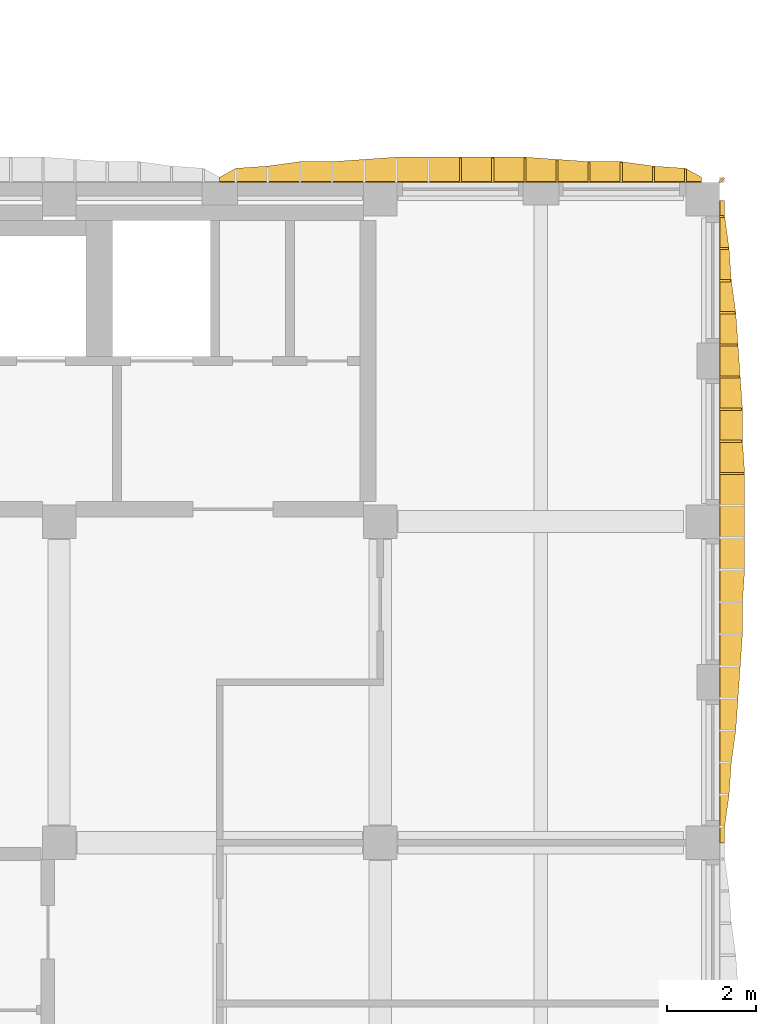
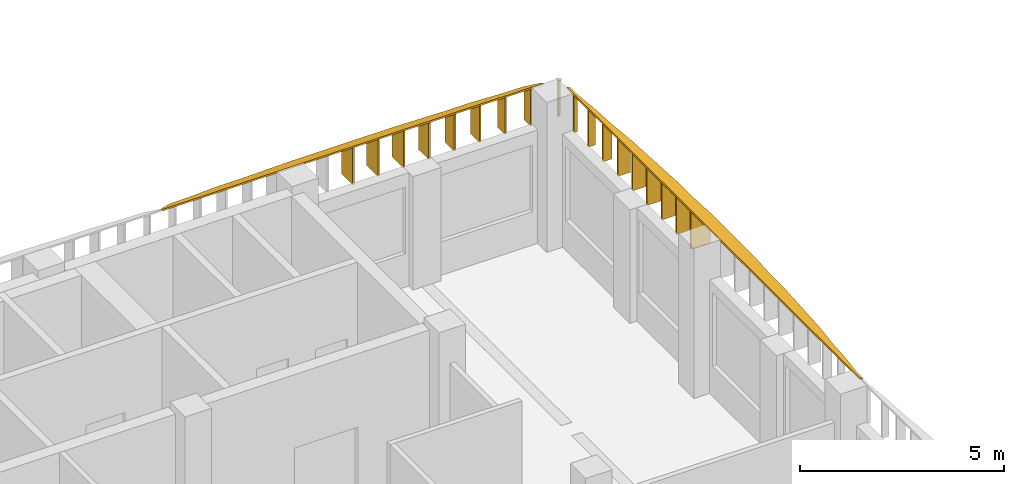
# One storey, part 40 of 58: 20 shading devices.
"""IFC4 building model written with IfcOpenShell, lengths in metres."""

from ifc_helpers import new_model, si_unit, direction, frame, origin, place, context, subcontext, project, spatial, polyline, outline, extrude, material, layer, layer_set, type_object, element, save


model = new_model("IFC4")

# Units and contexts
model_context = context("Model", 3, precision=1e-05, world=origin(), true_north=direction((0.0, 1.0)))
body_context = subcontext(model_context, "Body", "Model", "MODEL_VIEW")
ifc_project = project(units=[si_unit("LENGTHUNIT", "METRE"), si_unit("AREAUNIT", "SQUARE_METRE"), si_unit("VOLUMEUNIT", "CUBIC_METRE"), si_unit("PLANEANGLEUNIT", "RADIAN"), si_unit("MASSUNIT", "GRAM", prefix="KILO")], contexts=[model_context])

# Site, building, storey
site_placement = place(None, origin())
site = spatial("IfcSite", under=ifc_project, at=site_placement, CompositionType="ELEMENT")
building_placement = place(site_placement, origin())
building = spatial("IfcBuilding", under=site, at=building_placement, Name="Ussher Court Research Institute", CompositionType="ELEMENT")
storey_placement = place(building_placement, frame((0.0, 0.0, 9.89990234375)))
storey = spatial("IfcBuildingStorey", under=building, at=storey_placement, Name="L02", CompositionType="ELEMENT", Elevation=9.89990234375)

# Shading devices
ifc_material_1 = material(Name="Bronze anodised aluminium", Category="aluminium")
ifc_layer_1 = layer(ifc_material_1, 0.050048828125)
ifc_layer_set_1 = layer_set([ifc_layer_1], Name="Bronze anodised aluminium")
shading_device_type_1 = type_object("IfcShadingDeviceType", Name="Brim blade 100 mm deep 1100 mm high canted 26 deg wet", PredefinedType="USERDEFINED", material=ifc_layer_set_1)
shading_device_1_placement = place(storey_placement, frame((104.199951171875, 32.43994140625, 3.35009765625), z_axis=(0.0, 0.0, 1.0), x_axis=(1.0, 0.0, 0.0)))
element("IfcShadingDevice", 1, at=shading_device_1_placement, inside=storey, type_object=shading_device_type_1, Name="Brim blade BS10 L02", ObjectType="BLADE", PredefinedType="USERDEFINED", context=body_context, shape_type="SweptSolid", body=[
    extrude(outline(polyline([(0.0, 0.0), (0.10009765625, 0.0), (0.10009765625, 1.05126953125), (0.0, 1.10009765625), (0.0, 0.0)])), frame((0.0, 0.02490234375, 0.0), z_axis=(0.0, -1.0, 0.0), x_axis=(1.0, 0.0, 0.0)), (0.0, 0.0, 1.0), 0.050048828125),
])
ifc_material_2 = material(Name="Bronze anodised aluminium", Category="aluminium")
ifc_layer_2 = layer(ifc_material_2, 0.050048828125)
ifc_layer_set_2 = layer_set([ifc_layer_2], Name="Bronze anodised aluminium")
shading_device_type_2 = type_object("IfcShadingDeviceType", Name="Brim blade 200 mm deep 1100 mm high canted 26 deg wet", PredefinedType="USERDEFINED", material=ifc_layer_set_2)
shading_device_2_placement = place(storey_placement, frame((104.199951171875, 31.719970703125, 3.35009765625), z_axis=(0.0, 0.0, 1.0), x_axis=(1.0, 0.0, 0.0)))
element("IfcShadingDevice", 2, at=shading_device_2_placement, inside=storey, type_object=shading_device_type_2, Name="Brim blade BS08 L02", ObjectType="BLADE", PredefinedType="USERDEFINED", context=body_context, shape_type="SweptSolid", body=[
    extrude(outline(polyline([(0.0, 0.0), (0.199951171875, 0.0), (0.199951171875, 1.00244140625), (0.0, 1.10009765625), (0.0, 0.0)])), frame((0.0, 0.02490234375, 0.0), z_axis=(0.0, -1.0, 0.0), x_axis=(1.0, 0.0, 0.0)), (0.0, 0.0, 1.0), 0.050048828125),
])
ifc_material_3 = material(Name="Bronze anodised aluminium", Category="aluminium")
ifc_layer_3 = layer(ifc_material_3, 0.050048828125)
ifc_layer_set_3 = layer_set([ifc_layer_3], Name="Bronze anodised aluminium")
shading_device_type_3 = type_object("IfcShadingDeviceType", Name="Brim blade 250 mm deep 1100 mm high canted 26 deg wet", PredefinedType="USERDEFINED", material=ifc_layer_set_3)
shading_device_3_placement = place(storey_placement, frame((104.199951171875, 31.0, 3.35009765625), z_axis=(0.0, 0.0, 1.0), x_axis=(1.0, 0.0, 0.0)))
element("IfcShadingDevice", 3, at=shading_device_3_placement, inside=storey, type_object=shading_device_type_3, Name="Brim blade BS07 L02", ObjectType="BLADE", PredefinedType="USERDEFINED", context=body_context, shape_type="SweptSolid", body=[
    extrude(outline(polyline([(0.0, 0.0), (0.25, 0.0), (0.25, 0.97802734375), (0.0, 1.10009765625), (0.0, 0.0)])), frame((0.0, 0.02490234375, 0.0), z_axis=(0.0, -1.0, 0.0), x_axis=(1.0, 0.0, 0.0)), (0.0, 0.0, 1.0), 0.050048828125),
])
ifc_material_4 = material(Name="Bronze anodised aluminium", Category="aluminium")
ifc_layer_4 = layer(ifc_material_4, 0.050048828125)
ifc_layer_set_4 = layer_set([ifc_layer_4], Name="Bronze anodised aluminium")
shading_device_type_4 = type_object("IfcShadingDeviceType", Name="Brim blade 300 mm deep 1100 mm high canted 26 deg wet", PredefinedType="USERDEFINED", material=ifc_layer_set_4)
shading_device_4_placement = place(storey_placement, frame((103.43994140625, 33.199951171875, 3.35009765625), z_axis=(0.0, 0.0, 1.0), x_axis=(0.0, 1.0, 0.0)))
element("IfcShadingDevice", 4, at=shading_device_4_placement, inside=storey, type_object=shading_device_type_4, Name="Brim blade BS06 L02", ObjectType="BLADE", PredefinedType="USERDEFINED", context=body_context, shape_type="SweptSolid", body=[
    extrude(outline(polyline([(0.0, 0.0), (0.300048828125, 0.0), (0.300048828125, 0.95361328125), (0.0, 1.10009765625), (0.0, 0.0)])), frame((0.0, 0.02490234375, 0.0), z_axis=(0.0, -1.0, 0.0), x_axis=(1.0, 0.0, 0.0)), (0.0, 0.0, 1.0), 0.050048828125),
])
ifc_material_5 = material(Name="Bronze anodised aluminium", Category="aluminium")
ifc_layer_5 = layer(ifc_material_5, 0.050048828125)
ifc_layer_set_5 = layer_set([ifc_layer_5], Name="Bronze anodised aluminium")
shading_device_type_5 = type_object("IfcShadingDeviceType", Name="Brim blade 350 mm deep 1100 mm high canted 26 deg wet", PredefinedType="USERDEFINED", material=ifc_layer_set_5)
for number, where, z_axis, x_axis, name in (
    (5, (104.199951171875, 30.280029296875, 3.35009765625), (0.0, 0.0, 1.0), (1.0, 0.0, 0.0), "Brim blade BS05 L02"),
    (6, (102.719970703125, 33.199951171875, 3.35009765625), (0.0, 0.0, 1.0), (0.0, 1.0, 0.0), "Brim blade BS05 L02"),
):
    element("IfcShadingDevice", number, at=place(storey_placement, frame(where, z_axis=z_axis, x_axis=x_axis)), inside=storey, type_object=shading_device_type_5, Name=name, ObjectType="BLADE", PredefinedType="USERDEFINED", context=body_context, shape_type="SweptSolid", body=[
        extrude(outline(polyline([(0.0, 0.0), (0.35009765625, 0.0), (0.35009765625, 0.92919921875), (0.0, 1.10009765625), (0.0, 0.0)])), frame((0.0, 0.02490234375, 0.0), z_axis=(0.0, -1.0, 0.0), x_axis=(1.0, 0.0, 0.0)), (0.0, 0.0, 1.0), 0.050048828125),
    ])
ifc_material_6 = material(Name="Bronze anodised aluminium", Category="aluminium")
ifc_layer_6 = layer(ifc_material_6, 0.050048828125)
ifc_layer_set_6 = layer_set([ifc_layer_6], Name="Bronze anodised aluminium")
shading_device_type_6 = type_object("IfcShadingDeviceType", Name="Brim blade 400 mm deep 1100 mm high canted 26 deg wet", PredefinedType="USERDEFINED", material=ifc_layer_set_6)
shading_device_5_placement = place(storey_placement, frame((104.199951171875, 29.56005859375, 3.35009765625), z_axis=(0.0, 0.0, 1.0), x_axis=(1.0, 0.0, 0.0)))
element("IfcShadingDevice", 7, at=shading_device_5_placement, inside=storey, type_object=shading_device_type_6, Name="Brim blade BS04 L02", ObjectType="BLADE", PredefinedType="USERDEFINED", context=body_context, shape_type="SweptSolid", body=[
    extrude(outline(polyline([(0.0, 0.0), (0.400146484375, 0.0), (0.39990234375, 0.90478515625), (0.0, 1.10009765625), (0.0, 0.0)])), frame((0.0, 0.02490234375, 0.0), z_axis=(0.0, -1.0, 0.0), x_axis=(1.0, 0.0, 0.0)), (0.0, 0.0, 1.0), 0.050048828125),
])
ifc_material_7 = material(Name="Bronze anodised aluminium", Category="aluminium")
ifc_layer_7 = layer(ifc_material_7, 0.050048828125)
ifc_layer_set_7 = layer_set([ifc_layer_7], Name="Bronze anodised aluminium")
shading_device_type_7 = type_object("IfcShadingDeviceType", Name="Brim blade 450 mm deep 1100 mm high canted 26 deg wet", PredefinedType="USERDEFINED", material=ifc_layer_set_7)
for number, where, z_axis, x_axis, name in (
    (8, (104.199951171875, 28.840087890625, 3.35009765625), (0.0, 0.0, 1.0), (1.0, 0.0, 0.0), "Brim blade BS03 L02"),
    (9, (101.280029296875, 33.199951171875, 3.35009765625), (0.0, 0.0, 1.0), (0.0, 1.0, 0.0), "Brim blade BS03 L02"),
    (10, (102.0, 33.199951171875, 3.35009765625), (0.0, 0.0, 1.0), (0.0, 1.0, 0.0), "Brim blade BS03 L02"),
):
    element("IfcShadingDevice", number, at=place(storey_placement, frame(where, z_axis=z_axis, x_axis=x_axis)), inside=storey, type_object=shading_device_type_7, Name=name, ObjectType="BLADE", PredefinedType="USERDEFINED", context=body_context, shape_type="SweptSolid", body=[
        extrude(outline(polyline([(0.0, 0.0), (0.449951171875, 0.0), (0.449951171875, 0.880615234375), (0.0, 1.10009765625), (0.0, 0.0)])), frame((0.0, 0.02490234375, 0.0), z_axis=(0.0, -1.0, 0.0), x_axis=(1.0, 0.0, 0.0)), (0.0, 0.0, 1.0), 0.050048828125),
    ])
ifc_material_8 = material(Name="Bronze anodised aluminium", Category="aluminium")
ifc_layer_8 = layer(ifc_material_8, 0.050048828125)
ifc_layer_set_8 = layer_set([ifc_layer_8], Name="Bronze anodised aluminium")
shading_device_type_8 = type_object("IfcShadingDeviceType", Name="Brim blade 500 mm deep 1100 mm high canted 26 deg wet", PredefinedType="USERDEFINED", material=ifc_layer_set_8)
for number, where, z_axis, x_axis, name in (
    (11, (104.199951171875, 28.1201171875, 3.35009765625), (0.0, 0.0, 1.0), (1.0, 0.0, 0.0), "Brim blade BS02 L02"),
    (12, (104.199951171875, 27.39990234375, 3.35009765625), (0.0, 0.0, 1.0), (1.0, 0.0, 0.0), "Brim blade BS02 L02"),
    (13, (100.56005859375, 33.199951171875, 3.35009765625), (0.0, 0.0, 1.0), (0.0, 1.0, 0.0), "Brim blade BS02 L02"),
):
    element("IfcShadingDevice", number, at=place(storey_placement, frame(where, z_axis=z_axis, x_axis=x_axis)), inside=storey, type_object=shading_device_type_8, Name=name, ObjectType="BLADE", PredefinedType="USERDEFINED", context=body_context, shape_type="SweptSolid", body=[
        extrude(outline(polyline([(0.0, 0.0), (0.5, 0.0), (0.5, 0.856201171875), (0.0, 1.10009765625), (0.0, 0.0)])), frame((0.0, 0.02490234375, 0.0), z_axis=(0.0, -1.0, 0.0), x_axis=(1.0, 0.0, 0.0)), (0.0, 0.0, 1.0), 0.050048828125),
    ])
ifc_material_9 = material(Name="Bronze anodised aluminium", Category="aluminium")
ifc_layer_9 = layer(ifc_material_9, 0.050048828125)
ifc_layer_set_9 = layer_set([ifc_layer_9], Name="Bronze anodised aluminium")
shading_device_type_9 = type_object("IfcShadingDeviceType", Name="Brim blade 550 mm deep 1100 mm high canted 26 deg wet", PredefinedType="USERDEFINED", material=ifc_layer_set_9)
for number, where, z_axis, x_axis, name in (
    (14, (104.199951171875, 26.679931640625, 3.35009765625), (0.0, 0.0, 1.0), (1.0, 0.0, 0.0), "Brim blade BS01 L02"),
    (15, (98.39990234375, 33.199951171875, 3.35009765625), (0.0, 0.0, 1.0), (0.0, 1.0, 0.0), "Brim blade BS01 L02"),
    (16, (99.1201171875, 33.199951171875, 3.35009765625), (0.0, 0.0, 1.0), (0.0, 1.0, 0.0), "Brim blade BS01 L02"),
    (17, (99.840087890625, 33.199951171875, 3.35009765625), (0.0, 0.0, 1.0), (0.0, 1.0, 0.0), "Brim blade BS01 L02"),
):
    element("IfcShadingDevice", number, at=place(storey_placement, frame(where, z_axis=z_axis, x_axis=x_axis)), inside=storey, type_object=shading_device_type_9, Name=name, ObjectType="BLADE", PredefinedType="USERDEFINED", context=body_context, shape_type="SweptSolid", body=[
        extrude(outline(polyline([(0.0, 0.0), (0.550048828125, 0.0), (0.550048828125, 0.831787109375), (0.0, 1.10009765625), (0.0, 0.0)])), frame((0.0, 0.02490234375, 0.0), z_axis=(0.0, -1.0, 0.0), x_axis=(1.0, 0.0, 0.0)), (0.0, 0.0, 1.0), 0.050048828125),
    ])
ifc_material_10 = material(Name="Bronze anodised aluminium", Category="aluminium")
ifc_layer_10 = layer(ifc_material_10, 0.050048828125)
ifc_layer_set_10 = layer_set([ifc_layer_10], Name="Bronze anodised aluminium")
shading_device_type_10 = type_object("IfcShadingDeviceType", Name="Brim mitre blade 100 mm deep 1100 mm high canted 26 deg wet", PredefinedType="USERDEFINED", material=ifc_layer_set_10)
shading_device_6_placement = place(storey_placement, frame((104.199951171875, 33.199951171875, 3.35009765625), z_axis=(0.0, 0.0, 1.0), x_axis=(0.707106781187, 0.707106781187, 0.0)))
element("IfcShadingDevice", 18, at=shading_device_6_placement, inside=storey, type_object=shading_device_type_10, Name="Brim mitre blade BS18 L02", ObjectType="BLADE", PredefinedType="USERDEFINED", context=body_context, shape_type="SweptSolid", body=[
    extrude(outline(polyline([(0.0, 0.0), (0.1416015625, 0.0), (0.141357421875, 1.00244140625), (0.0, 1.10009765625), (0.0, 0.0)])), frame((0.0, 0.02490234375, 0.0), z_axis=(0.0, -1.0, 0.0), x_axis=(1.0, 0.0, 0.0)), (0.0, 0.0, 1.0), 0.050048828125),
])
ifc_material_11 = material(Name="Bronze anodised aluminium", Category="aluminium")
ifc_layer_11 = layer(ifc_material_11, 0.0400390625)
ifc_layer_set_11 = layer_set([ifc_layer_11], Name="Bronze anodised aluminium")
shading_device_type_11 = type_object("IfcShadingDeviceType", Name="Brim visor sheet 40 mm canted 26 deg wet", PredefinedType="USERDEFINED", material=ifc_layer_set_11)
shading_device_7_placement = place(storey_placement, frame((104.217529296875, 32.800048828125, 4.486083984375), z_axis=(0.438529184396, 0.0, 0.898716949007), x_axis=(0.0, -1.0, 0.0)))
element("IfcShadingDevice", 19, at=shading_device_7_placement, inside=storey, type_object=shading_device_type_11, Name="Brim visor sheet BR1 L02", ObjectType="BRIM", PredefinedType="USERDEFINED", context=body_context, shape_type="SweptSolid", body=[
    extrude(outline(polyline([(0.0, 0.0), (14.400146484375, 0.0), (14.400146484375, 0.11115260474198813), (14.0400390625, 0.11115260474198813), (13.320068359375, 0.22252462280160495), (12.60009765625, 0.27821063183141337), (11.880126953125, 0.3893632365734015), (11.16015625, 0.4449421828140506), (10.43994140625, 0.5006281918438591), (9.719970703125, 0.5563142008736675), (9.0, 0.5563142008736675), (8.280029296875, 0.6120002099034759), (7.56005859375, 0.6120002099034759), (6.840087890625, 0.6120002099034759), (6.1201171875, 0.6120002099034759), (5.400146484375, 0.5563142008736675), (4.679931640625, 0.5563142008736675), (3.9599609375, 0.5006281918438591), (3.239990234375, 0.4449421828140506), (2.52001953125, 0.3893632365734015), (1.800048828125, 0.27821063183141337), (1.080078125, 0.22252462280160495), (0.360107421875, 0.11115260474198813), (0.0, 0.11115260474198813), (0.0, 0.0)])), origin(), (0.0, 0.0, -1.0), 0.0400390625),
])
shading_device_8_placement = place(storey_placement, frame((93.0, 33.217529296875, 4.486083984375), z_axis=(0.0, 0.438493442835, 0.898734388232), x_axis=(1.0, 0.0, 0.0)))
element("IfcShadingDevice", 20, at=shading_device_8_placement, inside=storey, type_object=shading_device_type_11, Name="Brim visor sheet BR1 L02", ObjectType="BRIM", PredefinedType="USERDEFINED", context=body_context, shape_type="SweptSolid", body=[
    extrude(outline(polyline([(0.0, 0.0), (10.800048828125, 0.0), (10.800048828125, 0.11115260091647443), (10.43994140625, 0.3338966378999272), (9.719970703125, 0.3893632295705384), (9.0, 0.5006281939990725), (8.280029296875, 0.5006281939990725), (7.56005859375, 0.5563142032449357), (6.840087890625, 0.612000212490799), (6.1201171875, 0.612000212490799), (5.39990234375, 0.612000212490799), (4.679931640625, 0.612000212490799), (3.9599609375, 0.612000212490799), (3.239990234375, 0.5563142032449357), (2.52001953125, 0.5006281939990725), (1.800048828125, 0.5006281939990725), (1.080078125, 0.3893632295705384), (0.360107421875, 0.3338966378999272), (0.0, 0.11115260091647443), (0.0, 0.0)])), origin(), (0.0, 0.0, -1.0), 0.0400390625),
])

save(model, "model.ifc")
